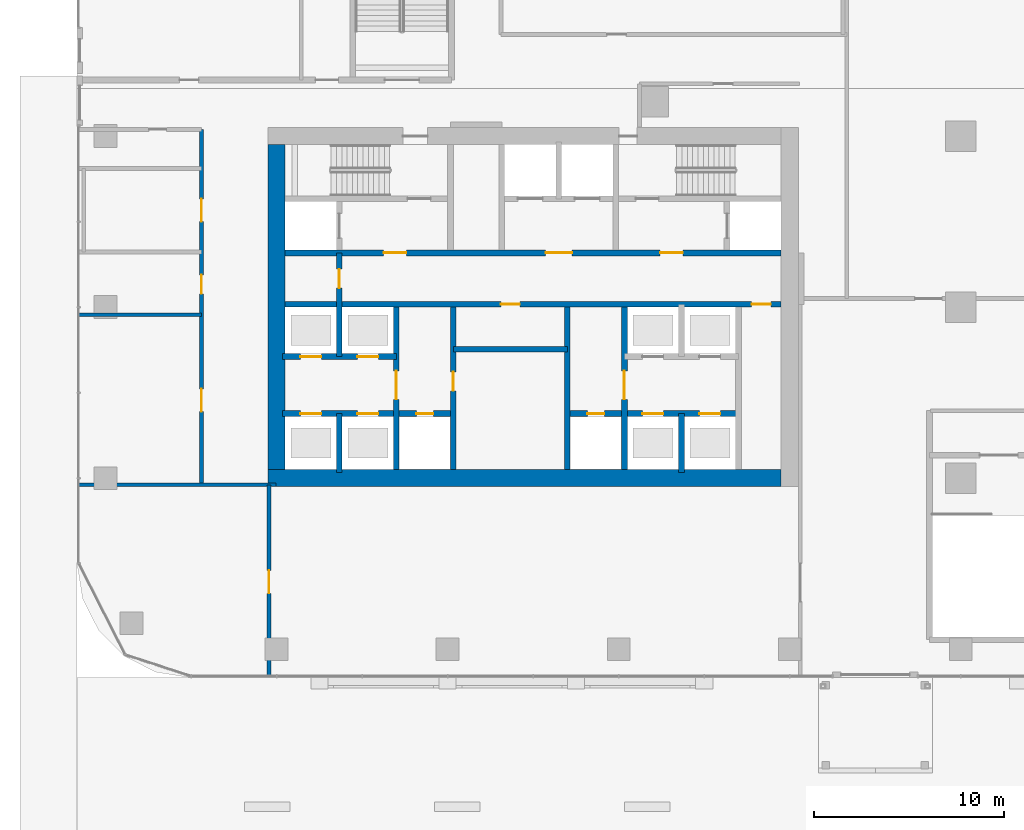
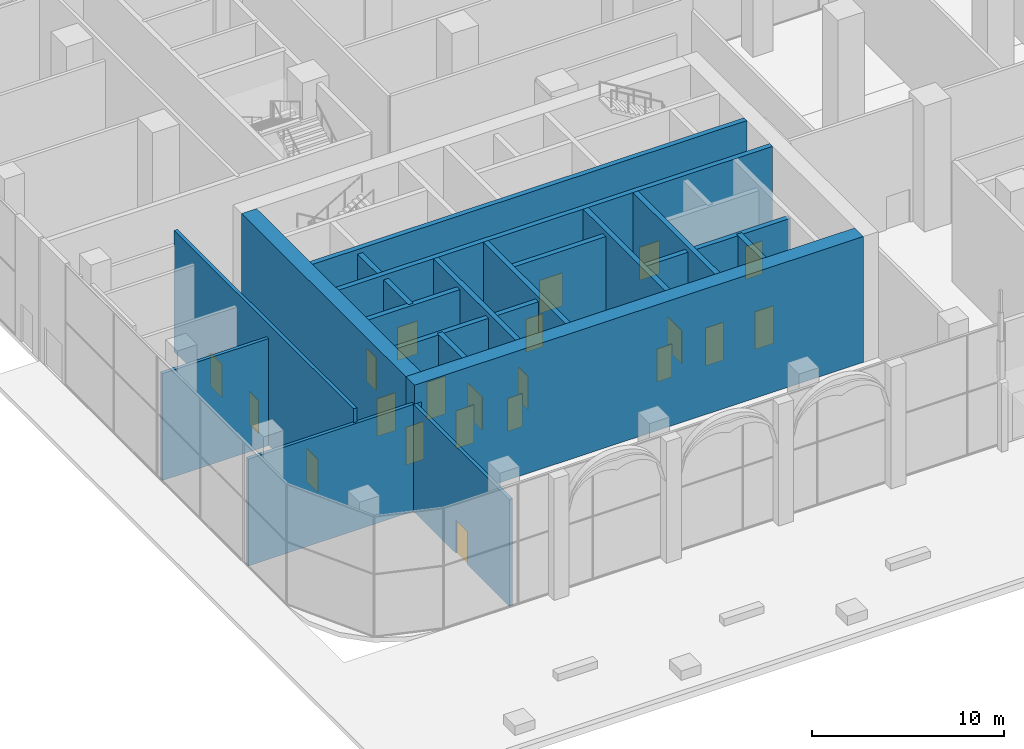
# One storey, part 29 of 54: 21 doors, 19 walls, 21 openings.
"""IFC4 building model written with IfcOpenShell, lengths in metres."""

from ifc_helpers import new_model, si_unit, direction, frame, frame_2d, origin, place, context, subcontext, project, spatial, rectangle, extrude, material, layer, layer_set, type_object, element, fill, save


model = new_model("IFC4")

# Units and contexts
model_context = context("Model", 3, precision=1e-05, world=origin(), true_north=direction((0.0, 1.0)))
body_context = subcontext(model_context, "Body", "Model", "MODEL_VIEW")
ifc_project = project(units=[si_unit("LENGTHUNIT", "METRE"), si_unit("AREAUNIT", "SQUARE_METRE"), si_unit("VOLUMEUNIT", "CUBIC_METRE"), si_unit("PLANEANGLEUNIT", "RADIAN"), si_unit("MASSUNIT", "GRAM", prefix="KILO")], contexts=[model_context])

# Site, building, storey
site_placement = place(None, origin())
site = spatial("IfcSite", under=ifc_project, at=site_placement, CompositionType="ELEMENT")
building_placement = place(site_placement, origin())
building = spatial("IfcBuilding", under=site, at=building_placement, Name="Ogive Portal Towers", CompositionType="ELEMENT")
storey_placement = place(building_placement, origin())
storey = spatial("IfcBuildingStorey", under=building, at=storey_placement, Name="L00", CompositionType="ELEMENT", Elevation=0.0)

# Wall, opening, door
ifc_material_1 = material(Name="Concrete C60/75", Category="concrete")
ifc_layer_1 = layer(ifc_material_1, 0.300048828125)
ifc_layer_set_1 = layer_set([ifc_layer_1], Name="CORE WALL 300 C60")
wall_type_1 = type_object("IfcWallType", Name="CORE WALL 300 C60", PredefinedType="SHEAR", material=ifc_layer_set_1)
wall_1_placement = place(storey_placement, frame((37.800048828125, 21.949951171875, 0.0), z_axis=(0.0, 0.0, 1.0), x_axis=(0.0, 1.0, 0.0)))
wall_1 = element("IfcWall", 1, at=wall_1_placement, inside=storey, type_object=wall_type_1, Name="Core wall X1 L00", PredefinedType="SHEAR", context=body_context, shape_type="SweptSolid", body=[
    extrude(rectangle(XDim=8.550048828125, YDim=0.300048828125, at=frame_2d((4.27490234375, 0.0))), origin(), (0.0, 0.0, 1.0), 8.0),
])
opening_1_placement = place(wall_1_placement, frame((3.699951171875, 0.0, 0.0)))
opening_1 = element("IfcOpeningElement", 2, at=opening_1_placement, cuts=wall_1, Name="Opening D102-001", PredefinedType="OPENING", context=body_context, shape_type="SweptSolid", body=[
    extrude(rectangle(XDim=1.5, YDim=2.10009765625, at=frame_2d((0.75, 1.050048828125))), frame((0.0, 0.16015625, 0.0), z_axis=(0.0, -1.0, 0.0), x_axis=(1.0, 0.0, 0.0)), (0.0, 0.0, 1.0), 0.320068359375),
])
ifc_material_2 = material(Name="Steel fire door", Category="steel")
door_type_1 = type_object("IfcDoorType", Name="DT-SWING-1500x2100-FD90S", OperationType="SINGLE_SWING_LEFT", PredefinedType="DOOR", material=ifc_material_2)
door_1_placement = place(opening_1_placement, origin())
door_1 = element("IfcDoor", 3, at=door_1_placement, inside=storey, type_object=door_type_1, Name="Door D102-001", OperationType="SINGLE_SWING_LEFT", OverallHeight=2.10009765625, OverallWidth=1.5, PredefinedType="DOOR", context=body_context, shape_type="SweptSolid", body=[
    extrude(rectangle(XDim=1.5, YDim=2.10009765625, at=frame_2d((0.75, 1.050048828125))), frame((0.0, 0.02490234375, 0.0), z_axis=(0.0, -1.0, 0.0), x_axis=(1.0, 0.0, 0.0)), (0.0, 0.0, 1.0), 0.050048828125),
])
fill(opening_1, door_1)

wall_2_placement = place(storey_placement, frame((40.800048828125, 21.949951171875, 0.0), z_axis=(0.0, 0.0, 1.0), x_axis=(0.0, 1.0, 0.0)))
wall_2 = element("IfcWall", 4, at=wall_2_placement, inside=storey, type_object=wall_type_1, Name="Core wall X2 L00", PredefinedType="SHEAR", context=body_context, shape_type="SweptSolid", body=[
    extrude(rectangle(XDim=8.550048828125, YDim=0.300048828125, at=frame_2d((4.27490234375, 0.0))), origin(), (0.0, 0.0, 1.0), 8.0),
])
opening_2_placement = place(wall_2_placement, frame((4.137939453125, 0.0, 0.0)))
opening_2 = element("IfcOpeningElement", 5, at=opening_2_placement, cuts=wall_2, Name="Opening D102-026", PredefinedType="OPENING", context=body_context, shape_type="SweptSolid", body=[
    extrude(rectangle(XDim=1.0, YDim=2.10009765625, at=frame_2d((0.5, 1.050048828125))), frame((0.0, 0.16015625, 0.0), z_axis=(0.0, -1.0, 0.0), x_axis=(1.0, 0.0, 0.0)), (0.0, 0.0, 1.0), 0.320068359375),
])
door_type_2 = type_object("IfcDoorType", Name="DT-SWING-1000x2100-FD90S", OperationType="SINGLE_SWING_LEFT", PredefinedType="DOOR", material=ifc_material_2)
door_2_placement = place(opening_2_placement, origin())
door_2 = element("IfcDoor", 6, at=door_2_placement, inside=storey, type_object=door_type_2, Name="Door D102-026", OperationType="SINGLE_SWING_RIGHT", OverallHeight=2.10009765625, OverallWidth=1.0, PredefinedType="DOOR", context=body_context, shape_type="SweptSolid", body=[
    extrude(rectangle(XDim=1.0, YDim=2.10009765625, at=frame_2d((0.5, 1.050048828125))), frame((0.0, 0.02490234375, 0.0), z_axis=(0.0, -1.0, 0.0), x_axis=(1.0, 0.0, 0.0)), (0.0, 0.0, 1.0), 0.050048828125),
])
fill(opening_2, door_2)

# Wall
wall_3_placement = place(storey_placement, frame((46.800048828125, 21.949951171875, 0.0), z_axis=(0.0, 0.0, 1.0), x_axis=(0.0, 1.0, 0.0)))
element("IfcWall", 7, at=wall_3_placement, inside=storey, type_object=wall_type_1, Name="Core wall X3 L00", PredefinedType="SHEAR", context=body_context, shape_type="SweptSolid", body=[
    extrude(rectangle(XDim=8.550048828125, YDim=0.300048828125, at=frame_2d((4.27490234375, 0.0))), origin(), (0.0, 0.0, 1.0), 8.0),
])

# Wall, opening, door
wall_4_placement = place(storey_placement, frame((49.800048828125, 21.949951171875, 0.0), z_axis=(0.0, 0.0, 1.0), x_axis=(0.0, 1.0, 0.0)))
wall_4 = element("IfcWall", 8, at=wall_4_placement, inside=storey, type_object=wall_type_1, Name="Core wall X4 L00", PredefinedType="SHEAR", context=body_context, shape_type="SweptSolid", body=[
    extrude(rectangle(XDim=8.550048828125, YDim=0.300048828125, at=frame_2d((4.27490234375, 0.0))), origin(), (0.0, 0.0, 1.0), 8.0),
])
opening_3_placement = place(wall_4_placement, frame((3.699951171875, 0.0, 0.0)))
opening_3 = element("IfcOpeningElement", 9, at=opening_3_placement, cuts=wall_4, Name="Opening D102-002", PredefinedType="OPENING", context=body_context, shape_type="SweptSolid", body=[
    extrude(rectangle(XDim=1.5, YDim=2.10009765625, at=frame_2d((0.75, 1.050048828125))), frame((0.0, 0.16015625, 0.0), z_axis=(0.0, -1.0, 0.0), x_axis=(1.0, 0.0, 0.0)), (0.0, 0.0, 1.0), 0.320068359375),
])
door_3_placement = place(opening_3_placement, origin())
door_3 = element("IfcDoor", 10, at=door_3_placement, inside=storey, type_object=door_type_1, Name="Door D102-002", OperationType="SINGLE_SWING_LEFT", OverallHeight=2.10009765625, OverallWidth=1.5, PredefinedType="DOOR", context=body_context, shape_type="SweptSolid", body=[
    extrude(rectangle(XDim=1.5, YDim=2.10009765625, at=frame_2d((0.75, 1.050048828125))), frame((0.0, 0.02490234375, 0.0), z_axis=(0.0, -1.0, 0.0), x_axis=(1.0, 0.0, 0.0)), (0.0, 0.0, 1.0), 0.050048828125),
])
fill(opening_3, door_3)

# Wall, openings, doors
wall_5_placement = place(storey_placement, frame((31.949951171875, 30.64990234375, 0.0), z_axis=(0.0, 0.0, 1.0), x_axis=(1.0, 0.0, 0.0)))
wall_5 = element("IfcWall", 11, at=wall_5_placement, inside=storey, type_object=wall_type_1, Name="Core wall Y1 L00", PredefinedType="SHEAR", context=body_context, shape_type="SweptSolid", body=[
    extrude(rectangle(XDim=26.10009765625, YDim=0.300048828125, at=frame_2d((13.050048828125, 0.0))), origin(), (0.0, 0.0, 1.0), 8.0),
])
opening_4_placement = place(wall_5_placement, frame((24.550048828125, 0.0, 0.0)))
opening_4 = element("IfcOpeningElement", 12, at=opening_4_placement, cuts=wall_5, Name="Opening D102-010", PredefinedType="OPENING", context=body_context, shape_type="SweptSolid", body=[
    extrude(rectangle(XDim=1.0, YDim=2.10009765625, at=frame_2d((0.5, 1.050048828125))), frame((0.0, 0.16015625, 0.0), z_axis=(0.0, -1.0, 0.0), x_axis=(1.0, 0.0, 0.0)), (0.0, 0.0, 1.0), 0.320068359375),
])
opening_5_placement = place(wall_5_placement, frame((11.35009765625, 0.0, 0.0)))
opening_5 = element("IfcOpeningElement", 13, at=opening_5_placement, cuts=wall_5, Name="Opening D102-025", PredefinedType="OPENING", context=body_context, shape_type="SweptSolid", body=[
    extrude(rectangle(XDim=1.0, YDim=2.10009765625, at=frame_2d((0.5, 1.050048828125))), frame((0.0, 0.16015625, 0.0), z_axis=(0.0, -1.0, 0.0), x_axis=(1.0, 0.0, 0.0)), (0.0, 0.0, 1.0), 0.320068359375),
])
door_4_placement = place(opening_4_placement, origin())
door_4 = element("IfcDoor", 14, at=door_4_placement, inside=storey, type_object=door_type_2, Name="Door D102-010", OperationType="SINGLE_SWING_LEFT", OverallHeight=2.10009765625, OverallWidth=1.0, PredefinedType="DOOR", context=body_context, shape_type="SweptSolid", body=[
    extrude(rectangle(XDim=1.0, YDim=2.10009765625, at=frame_2d((0.5, 1.050048828125))), frame((0.0, 0.02490234375, 0.0), z_axis=(0.0, -1.0, 0.0), x_axis=(1.0, 0.0, 0.0)), (0.0, 0.0, 1.0), 0.050048828125),
])
fill(opening_4, door_4)
door_5_placement = place(opening_5_placement, origin())
door_5 = element("IfcDoor", 15, at=door_5_placement, inside=storey, type_object=door_type_2, Name="Riser access door D102-025", OperationType="SINGLE_SWING_LEFT", OverallHeight=2.10009765625, OverallWidth=1.0, PredefinedType="DOOR", context=body_context, shape_type="SweptSolid", body=[
    extrude(rectangle(XDim=1.0, YDim=2.10009765625, at=frame_2d((0.5, 1.050048828125))), frame((0.0, 0.02490234375, 0.0), z_axis=(0.0, -1.0, 0.0), x_axis=(1.0, 0.0, 0.0)), (0.0, 0.0, 1.0), 0.050048828125),
])
fill(opening_5, door_5)

wall_6_placement = place(storey_placement, frame((31.949951171875, 33.35009765625, 0.0), z_axis=(0.0, 0.0, 1.0), x_axis=(1.0, 0.0, 0.0)))
wall_6 = element("IfcWall", 16, at=wall_6_placement, inside=storey, type_object=wall_type_1, Name="Core wall Y2 L00", PredefinedType="SHEAR", context=body_context, shape_type="SweptSolid", body=[
    extrude(rectangle(XDim=26.10009765625, YDim=0.300048828125, at=frame_2d((13.050048828125, 0.0))), origin(), (0.0, 0.0, 1.0), 8.0),
])
opening_6_placement = place(wall_6_placement, frame((13.699951171875, 0.0, 0.0)))
opening_6 = element("IfcOpeningElement", 17, at=opening_6_placement, cuts=wall_6, Name="Opening D102-003", PredefinedType="OPENING", context=body_context, shape_type="SweptSolid", body=[
    extrude(rectangle(XDim=1.39990234375, YDim=2.10009765625, at=frame_2d((0.699951171875, 1.050048828125))), frame((0.0, 0.16015625, 0.0), z_axis=(0.0, -1.0, 0.0), x_axis=(1.0, 0.0, 0.0)), (0.0, 0.0, 1.0), 0.320068359375),
])
opening_7_placement = place(wall_6_placement, frame((5.175048828125, 0.0, 0.0)))
opening_7 = element("IfcOpeningElement", 18, at=opening_7_placement, cuts=wall_6, Name="Opening D102-004", PredefinedType="OPENING", context=body_context, shape_type="SweptSolid", body=[
    extrude(rectangle(XDim=1.199951171875, YDim=2.10009765625, at=frame_2d((0.60009765625, 1.050048828125))), frame((0.0, 0.16015625, 0.0), z_axis=(0.0, -1.0, 0.0), x_axis=(1.0, 0.0, 0.0)), (0.0, 0.0, 1.0), 0.320068359375),
])
opening_8_placement = place(wall_6_placement, frame((19.72509765625, 0.0, 0.0)))
opening_8 = element("IfcOpeningElement", 19, at=opening_8_placement, cuts=wall_6, Name="Opening D102-005", PredefinedType="OPENING", context=body_context, shape_type="SweptSolid", body=[
    extrude(rectangle(XDim=1.199951171875, YDim=2.10009765625, at=frame_2d((0.60009765625, 1.050048828125))), frame((0.0, 0.16015625, 0.0), z_axis=(0.0, -1.0, 0.0), x_axis=(1.0, 0.0, 0.0)), (0.0, 0.0, 1.0), 0.320068359375),
])
door_type_3 = type_object("IfcDoorType", Name="DT-SWING-1200x2100-FD90S", OperationType="SINGLE_SWING_LEFT", PredefinedType="DOOR", material=ifc_material_2)
door_6_placement = place(opening_7_placement, origin())
door_6 = element("IfcDoor", 20, at=door_6_placement, inside=storey, type_object=door_type_3, Name="Door D102-004", OperationType="SINGLE_SWING_LEFT", OverallHeight=2.10009765625, OverallWidth=1.199951171875, PredefinedType="DOOR", context=body_context, shape_type="SweptSolid", body=[
    extrude(rectangle(XDim=1.199951171875, YDim=2.10009765625, at=frame_2d((0.60009765625, 1.050048828125))), frame((0.0, 0.02490234375, 0.0), z_axis=(0.0, -1.0, 0.0), x_axis=(1.0, 0.0, 0.0)), (0.0, 0.0, 1.0), 0.050048828125),
])
fill(opening_7, door_6)
door_7_placement = place(opening_8_placement, origin())
door_7 = element("IfcDoor", 21, at=door_7_placement, inside=storey, type_object=door_type_3, Name="Door D102-005", OperationType="SINGLE_SWING_RIGHT", OverallHeight=2.10009765625, OverallWidth=1.199951171875, PredefinedType="DOOR", context=body_context, shape_type="SweptSolid", body=[
    extrude(rectangle(XDim=1.199951171875, YDim=2.10009765625, at=frame_2d((0.60009765625, 1.050048828125))), frame((0.0, 0.02490234375, 0.0), z_axis=(0.0, -1.0, 0.0), x_axis=(1.0, 0.0, 0.0)), (0.0, 0.0, 1.0), 0.050048828125),
])
fill(opening_8, door_7)
door_type_4 = type_object("IfcDoorType", Name="DT-SWING-1400x2100-FD90S", OperationType="SINGLE_SWING_LEFT", PredefinedType="DOOR", material=ifc_material_2)
door_8_placement = place(opening_6_placement, origin())
door_8 = element("IfcDoor", 22, at=door_8_placement, inside=storey, type_object=door_type_4, Name="Door D102-003", OperationType="SINGLE_SWING_RIGHT", OverallHeight=2.10009765625, OverallWidth=1.39990234375, PredefinedType="DOOR", context=body_context, shape_type="SweptSolid", body=[
    extrude(rectangle(XDim=1.39990234375, YDim=2.10009765625, at=frame_2d((0.699951171875, 1.050048828125))), frame((0.0, 0.02490234375, 0.0), z_axis=(0.0, -1.0, 0.0), x_axis=(1.0, 0.0, 0.0)), (0.0, 0.0, 1.0), 0.050048828125),
])
fill(opening_6, door_8)

# Walls
ifc_layer_2 = layer(ifc_material_1, 0.89990234375)
ifc_layer_set_2 = layer_set([ifc_layer_2], Name="CORE WALL 900 C60")
wall_type_2 = type_object("IfcWallType", Name="CORE WALL 900 C60", PredefinedType="SHEAR", material=ifc_layer_set_2)
wall_7_placement = place(storey_placement, frame((31.5, 21.949951171875, 0.0), z_axis=(0.0, 0.0, 1.0), x_axis=(0.0, 1.0, 0.0)))
element("IfcWall", 23, at=wall_7_placement, inside=storey, type_object=wall_type_2, Name="Core wall W L00", PredefinedType="SHEAR", context=body_context, shape_type="SweptSolid", body=[
    extrude(rectangle(XDim=17.10009765625, YDim=0.89990234375, at=frame_2d((8.550048828125, 0.0))), origin(), (0.0, 0.0, 1.0), 8.0),
])
wall_8_placement = place(storey_placement, frame((31.050048828125, 21.5, 0.0), z_axis=(0.0, 0.0, 1.0), x_axis=(1.0, 0.0, 0.0)))
element("IfcWall", 24, at=wall_8_placement, inside=storey, type_object=wall_type_2, Name="Core wall S L00", PredefinedType="SHEAR", context=body_context, shape_type="SweptSolid", body=[
    extrude(rectangle(XDim=27.0, YDim=0.89990234375, at=frame_2d((13.5, 0.0))), origin(), (0.0, 0.0, 1.0), 8.0),
])

# Wall, openings, doors
ifc_material_3 = material(Name="Gypsum board partition on steel studs", Category="steel")
ifc_layer_3 = layer(ifc_material_3, 0.199951171875)
ifc_layer_set_3 = layer_set([ifc_layer_3], Name="WT-PART-200-EI 120")
wall_type_3 = type_object("IfcWallType", Name="WT-PART-200-EI 120", PredefinedType="PARTITIONING", material=ifc_layer_set_3)
wall_9_placement = place(storey_placement, frame((27.550048828125, 21.14990234375, 0.0), z_axis=(0.0, 0.0, 1.0), x_axis=(0.0, 1.0, 0.0)))
wall_9 = element("IfcWall", 25, at=wall_9_placement, inside=storey, type_object=wall_type_3, Name="Wall L00:w073", PredefinedType="PARTITIONING", context=body_context, shape_type="SweptSolid", body=[
    extrude(rectangle(XDim=18.7001953125, YDim=0.199951171875, at=frame_2d((9.35009765625, 0.0))), origin(), (0.0, 0.0, 1.0), 7.699951171875),
])
opening_9_placement = place(wall_9_placement, frame((3.85009765625, 0.0, 0.0)))
opening_9 = element("IfcOpeningElement", 26, at=opening_9_placement, cuts=wall_9, Name="Opening P00-015", PredefinedType="OPENING", context=body_context, shape_type="SweptSolid", body=[
    extrude(rectangle(XDim=1.199951171875, YDim=2.10009765625, at=frame_2d((0.60009765625, 1.050048828125))), frame((0.0, 0.10986328125, 0.0), z_axis=(0.0, -1.0, 0.0), x_axis=(1.0, 0.0, 0.0)), (0.0, 0.0, 1.0), 0.219970703125),
])
opening_10_placement = place(wall_9_placement, frame((10.041015625, 0.0, 0.0)))
opening_10 = element("IfcOpeningElement", 27, at=opening_10_placement, cuts=wall_9, Name="Opening P00-016", PredefinedType="OPENING", context=body_context, shape_type="SweptSolid", body=[
    extrude(rectangle(XDim=1.0, YDim=2.10009765625, at=frame_2d((0.5, 1.050048828125))), frame((0.0, 0.10986328125, 0.0), z_axis=(0.0, -1.0, 0.0), x_axis=(1.0, 0.0, 0.0)), (0.0, 0.0, 1.0), 0.219970703125),
])
opening_11_placement = place(wall_9_placement, frame((13.85009765625, 0.0, 0.0)))
opening_11 = element("IfcOpeningElement", 28, at=opening_11_placement, cuts=wall_9, Name="Opening P00-017", PredefinedType="OPENING", context=body_context, shape_type="SweptSolid", body=[
    extrude(rectangle(XDim=1.199951171875, YDim=2.10009765625, at=frame_2d((0.60009765625, 1.050048828125))), frame((0.0, 0.10986328125, 0.0), z_axis=(0.0, -1.0, 0.0), x_axis=(1.0, 0.0, 0.0)), (0.0, 0.0, 1.0), 0.219970703125),
])
door_9_placement = place(opening_10_placement, origin())
door_9 = element("IfcDoor", 29, at=door_9_placement, inside=storey, type_object=door_type_2, Name="Door P00-016", OperationType="SINGLE_SWING_RIGHT", OverallHeight=2.10009765625, OverallWidth=1.0, PredefinedType="DOOR", context=body_context, shape_type="SweptSolid", body=[
    extrude(rectangle(XDim=1.0, YDim=2.10009765625, at=frame_2d((0.5, 1.050048828125))), frame((0.0, 0.02490234375, 0.0), z_axis=(0.0, -1.0, 0.0), x_axis=(1.0, 0.0, 0.0)), (0.0, 0.0, 1.0), 0.050048828125),
])
fill(opening_10, door_9)
door_10_placement = place(opening_9_placement, origin())
door_10 = element("IfcDoor", 30, at=door_10_placement, inside=storey, type_object=door_type_3, Name="Door P00-015", OperationType="SINGLE_SWING_LEFT", OverallHeight=2.10009765625, OverallWidth=1.199951171875, PredefinedType="DOOR", context=body_context, shape_type="SweptSolid", body=[
    extrude(rectangle(XDim=1.199951171875, YDim=2.10009765625, at=frame_2d((0.60009765625, 1.050048828125))), frame((0.0, 0.02490234375, 0.0), z_axis=(0.0, -1.0, 0.0), x_axis=(1.0, 0.0, 0.0)), (0.0, 0.0, 1.0), 0.050048828125),
])
fill(opening_9, door_10)
door_11_placement = place(opening_11_placement, origin())
door_11 = element("IfcDoor", 31, at=door_11_placement, inside=storey, type_object=door_type_3, Name="Door P00-017", OperationType="SINGLE_SWING_LEFT", OverallHeight=2.10009765625, OverallWidth=1.199951171875, PredefinedType="DOOR", context=body_context, shape_type="SweptSolid", body=[
    extrude(rectangle(XDim=1.199951171875, YDim=2.10009765625, at=frame_2d((0.60009765625, 1.050048828125))), frame((0.0, 0.02490234375, 0.0), z_axis=(0.0, -1.0, 0.0), x_axis=(1.0, 0.0, 0.0)), (0.0, 0.0, 1.0), 0.050048828125),
])
fill(opening_11, door_11)

# Walls
ifc_layer_4 = layer(ifc_material_3, 0.199951171875)
ifc_layer_set_4 = layer_set([ifc_layer_4], Name="WT-PART-200-EI 60")
wall_type_4 = type_object("IfcWallType", Name="WT-PART-200-EI 60", PredefinedType="PARTITIONING", material=ifc_layer_set_4)
wall_10_placement = place(storey_placement, frame((21.070068359375, 21.14990234375, 0.0), z_axis=(0.0, 0.0, 1.0), x_axis=(1.0, 0.0, 0.0)))
element("IfcWall", 32, at=wall_10_placement, inside=storey, type_object=wall_type_4, Name="Wall L00:w004", PredefinedType="PARTITIONING", context=body_context, shape_type="SweptSolid", body=[
    extrude(rectangle(XDim=10.409912109375, YDim=0.199951171875, at=frame_2d((5.205078125, 0.0))), origin(), (0.0, 0.0, 1.0), 6.800048828125),
])
wall_11_placement = place(storey_placement, frame((21.070068359375, 30.10009765625, 0.0), z_axis=(0.0, 0.0, 1.0), x_axis=(1.0, 0.0, 0.0)))
element("IfcWall", 33, at=wall_11_placement, inside=storey, type_object=wall_type_4, Name="Wall L00:w015", PredefinedType="PARTITIONING", context=body_context, shape_type="SweptSolid", body=[
    extrude(rectangle(XDim=6.47998046875, YDim=0.199951171875, at=frame_2d((3.239990234375, 0.0))), origin(), (0.0, 0.0, 1.0), 6.800048828125),
])

# Wall, opening, door
wall_12_placement = place(storey_placement, frame((31.10009765625, 11.070068359375, 0.0), z_axis=(0.0, 0.0, 1.0), x_axis=(0.0, 1.0, 0.0)))
wall_12 = element("IfcWall", 34, at=wall_12_placement, inside=storey, type_object=wall_type_4, Name="Wall L00:w075", PredefinedType="PARTITIONING", context=body_context, shape_type="SweptSolid", body=[
    extrude(rectangle(XDim=10.079833984375, YDim=0.199951171875, at=frame_2d((5.0400390625, 0.0))), origin(), (0.0, 0.0, 1.0), 6.800048828125),
])
opening_12_placement = place(wall_12_placement, frame((4.373046875, 0.0, 0.0)))
opening_12 = element("IfcOpeningElement", 35, at=opening_12_placement, cuts=wall_12, Name="Opening P00-009", PredefinedType="OPENING", context=body_context, shape_type="SweptSolid", body=[
    extrude(rectangle(XDim=1.199951171875, YDim=2.10009765625, at=frame_2d((0.60009765625, 1.050048828125))), frame((0.0, 0.10986328125, 0.0), z_axis=(0.0, -1.0, 0.0), x_axis=(1.0, 0.0, 0.0)), (0.0, 0.0, 1.0), 0.219970703125),
])
door_type_5 = type_object("IfcDoorType", Name="DT-SWING-1200x2100-FD60S", OperationType="SINGLE_SWING_LEFT", PredefinedType="DOOR", material=ifc_material_2)
door_12_placement = place(opening_12_placement, origin())
door_12 = element("IfcDoor", 36, at=door_12_placement, inside=storey, type_object=door_type_5, Name="Door P00-009", OperationType="SINGLE_SWING_LEFT", OverallHeight=2.10009765625, OverallWidth=1.199951171875, PredefinedType="DOOR", context=body_context, shape_type="SweptSolid", body=[
    extrude(rectangle(XDim=1.199951171875, YDim=2.10009765625, at=frame_2d((0.60009765625, 1.050048828125))), frame((0.0, 0.02490234375, 0.0), z_axis=(0.0, -1.0, 0.0), x_axis=(1.0, 0.0, 0.0)), (0.0, 0.0, 1.0), 0.050048828125),
])
fill(opening_12, door_12)

# Wall
ifc_layer_5 = layer(ifc_material_3, 0.300048828125)
ifc_layer_set_5 = layer_set([ifc_layer_5], Name="WT-PART-300")
wall_type_5 = type_object("IfcWallType", Name="WT-PART-300", PredefinedType="PARTITIONING", material=ifc_layer_set_5)
wall_13_placement = place(storey_placement, frame((40.800048828125, 28.277099609375, 0.0), z_axis=(0.0, 0.0, 1.0), x_axis=(1.0, 0.0, 0.0)))
element("IfcWall", 37, at=wall_13_placement, inside=storey, type_object=wall_type_5, Name="Wall pw:005:L00", PredefinedType="PARTITIONING", context=body_context, shape_type="SweptSolid", body=[
    extrude(rectangle(XDim=6.0, YDim=0.300048828125, at=frame_2d((3.0, 0.0))), origin(), (0.0, 0.0, 1.0), 7.699951171875),
])

# Wall, openings, doors
ifc_material_4 = material(Name="Concrete C40/50", Category="concrete")
ifc_layer_6 = layer(ifc_material_4, 0.300048828125)
ifc_layer_set_6 = layer_set([ifc_layer_6], Name="WT-SHAFT-300")
wall_type_6 = type_object("IfcWallType", Name="WT-SHAFT-300", PredefinedType="SOLIDWALL", material=ifc_layer_set_6)
wall_14_placement = place(storey_placement, frame((31.800048828125, 24.89990234375, 0.0), z_axis=(0.0, 0.0, 1.0), x_axis=(1.0, 0.0, 0.0)))
wall_14 = element("IfcWall", 38, at=wall_14_placement, inside=storey, type_object=wall_type_6, Name="Wall pw:001:L00", PredefinedType="SOLIDWALL", context=body_context, shape_type="SweptSolid", body=[
    extrude(rectangle(XDim=9.0, YDim=0.300048828125, at=frame_2d((4.5, 0.0))), origin(), (0.0, 0.0, 1.0), 7.699951171875),
])
opening_13_placement = place(wall_14_placement, frame((7.050048828125, 0.0, 0.0)))
opening_13 = element("IfcOpeningElement", 39, at=opening_13_placement, cuts=wall_14, Name="Opening D102-008", PredefinedType="OPENING", context=body_context, shape_type="SweptSolid", body=[
    extrude(rectangle(XDim=0.89990234375, YDim=2.10009765625, at=frame_2d((0.449951171875, 1.050048828125))), frame((0.0, 0.16015625, 0.0), z_axis=(0.0, -1.0, 0.0), x_axis=(1.0, 0.0, 0.0)), (0.0, 0.0, 1.0), 0.320068359375),
])
opening_14_placement = place(wall_14_placement, frame((0.949951171875, 0.0, 0.0)))
opening_14 = element("IfcOpeningElement", 40, at=opening_14_placement, cuts=wall_14, Name="Opening D102-013", PredefinedType="OPENING", context=body_context, shape_type="SweptSolid", body=[
    extrude(rectangle(XDim=1.10009765625, YDim=2.39990234375, at=frame_2d((0.550048828125, 1.199951171875))), frame((0.0, 0.16015625, 0.0), z_axis=(0.0, -1.0, 0.0), x_axis=(1.0, 0.0, 0.0)), (0.0, 0.0, 1.0), 0.320068359375),
])
opening_15_placement = place(wall_14_placement, frame((3.949951171875, 0.0, 0.0)))
opening_15 = element("IfcOpeningElement", 41, at=opening_15_placement, cuts=wall_14, Name="Opening D102-014", PredefinedType="OPENING", context=body_context, shape_type="SweptSolid", body=[
    extrude(rectangle(XDim=1.10009765625, YDim=2.39990234375, at=frame_2d((0.550048828125, 1.199951171875))), frame((0.0, 0.16015625, 0.0), z_axis=(0.0, -1.0, 0.0), x_axis=(1.0, 0.0, 0.0)), (0.0, 0.0, 1.0), 0.320068359375),
])
ifc_material_5 = material(Name="Stainless steel", Category="steel")
door_type_6 = type_object("IfcDoorType", Name="DT-LD-1100x2400", OperationType="SLIDING_TO_LEFT", PredefinedType="DOOR", material=ifc_material_5)
door_13_placement = place(opening_14_placement, origin())
door_13 = element("IfcDoor", 42, at=door_13_placement, inside=storey, type_object=door_type_6, Name="Door D102-013", OperationType="SLIDING_TO_LEFT", OverallHeight=2.39990234375, OverallWidth=1.10009765625, PredefinedType="DOOR", context=body_context, shape_type="SweptSolid", body=[
    extrude(rectangle(XDim=1.10009765625, YDim=2.39990234375, at=frame_2d((0.550048828125, 1.199951171875))), frame((0.0, 0.02490234375, 0.0), z_axis=(0.0, -1.0, 0.0), x_axis=(1.0, 0.0, 0.0)), (0.0, 0.0, 1.0), 0.050048828125),
])
fill(opening_14, door_13)
door_14_placement = place(opening_15_placement, origin())
door_14 = element("IfcDoor", 43, at=door_14_placement, inside=storey, type_object=door_type_6, Name="Door D102-014", OperationType="SLIDING_TO_LEFT", OverallHeight=2.39990234375, OverallWidth=1.10009765625, PredefinedType="DOOR", context=body_context, shape_type="SweptSolid", body=[
    extrude(rectangle(XDim=1.10009765625, YDim=2.39990234375, at=frame_2d((0.550048828125, 1.199951171875))), frame((0.0, 0.02490234375, 0.0), z_axis=(0.0, -1.0, 0.0), x_axis=(1.0, 0.0, 0.0)), (0.0, 0.0, 1.0), 0.050048828125),
])
fill(opening_15, door_14)
door_type_7 = type_object("IfcDoorType", Name="DT-SWING-900x2100-FD90S", OperationType="SINGLE_SWING_LEFT", PredefinedType="DOOR", material=ifc_material_2)
door_15_placement = place(opening_13_placement, origin())
door_15 = element("IfcDoor", 44, at=door_15_placement, inside=storey, type_object=door_type_7, Name="Riser access door D102-008", OperationType="SINGLE_SWING_LEFT", OverallHeight=2.10009765625, OverallWidth=0.89990234375, PredefinedType="DOOR", context=body_context, shape_type="SweptSolid", body=[
    extrude(rectangle(XDim=0.89990234375, YDim=2.10009765625, at=frame_2d((0.449951171875, 1.050048828125))), frame((0.0, 0.02490234375, 0.0), z_axis=(0.0, -1.0, 0.0), x_axis=(1.0, 0.0, 0.0)), (0.0, 0.0, 1.0), 0.050048828125),
])
fill(opening_13, door_15)

wall_15_placement = place(storey_placement, frame((46.800048828125, 24.89990234375, 0.0), z_axis=(0.0, 0.0, 1.0), x_axis=(1.0, 0.0, 0.0)))
wall_15 = element("IfcWall", 45, at=wall_15_placement, inside=storey, type_object=wall_type_6, Name="Wall pw:002:L00", PredefinedType="SOLIDWALL", context=body_context, shape_type="SweptSolid", body=[
    extrude(rectangle(XDim=9.0, YDim=0.300048828125, at=frame_2d((4.5, 0.0))), origin(), (0.0, 0.0, 1.0), 7.699951171875),
])
opening_16_placement = place(wall_15_placement, frame((1.050048828125, 0.0, 0.0)))
opening_16 = element("IfcOpeningElement", 46, at=opening_16_placement, cuts=wall_15, Name="Opening D102-009", PredefinedType="OPENING", context=body_context, shape_type="SweptSolid", body=[
    extrude(rectangle(XDim=0.89990234375, YDim=2.10009765625, at=frame_2d((0.449951171875, 1.050048828125))), frame((0.0, 0.16015625, 0.0), z_axis=(0.0, -1.0, 0.0), x_axis=(1.0, 0.0, 0.0)), (0.0, 0.0, 1.0), 0.320068359375),
])
opening_17_placement = place(wall_15_placement, frame((3.949951171875, 0.0, 0.0)))
opening_17 = element("IfcOpeningElement", 47, at=opening_17_placement, cuts=wall_15, Name="Opening D102-017", PredefinedType="OPENING", context=body_context, shape_type="SweptSolid", body=[
    extrude(rectangle(XDim=1.10009765625, YDim=2.39990234375, at=frame_2d((0.550048828125, 1.199951171875))), frame((0.0, 0.16015625, 0.0), z_axis=(0.0, -1.0, 0.0), x_axis=(1.0, 0.0, 0.0)), (0.0, 0.0, 1.0), 0.320068359375),
])
opening_18_placement = place(wall_15_placement, frame((6.949951171875, 0.0, 0.0)))
opening_18 = element("IfcOpeningElement", 48, at=opening_18_placement, cuts=wall_15, Name="Opening D102-018", PredefinedType="OPENING", context=body_context, shape_type="SweptSolid", body=[
    extrude(rectangle(XDim=1.10009765625, YDim=2.39990234375, at=frame_2d((0.550048828125, 1.199951171875))), frame((0.0, 0.16015625, 0.0), z_axis=(0.0, -1.0, 0.0), x_axis=(1.0, 0.0, 0.0)), (0.0, 0.0, 1.0), 0.320068359375),
])
door_16_placement = place(opening_17_placement, origin())
door_16 = element("IfcDoor", 49, at=door_16_placement, inside=storey, type_object=door_type_6, Name="Door D102-017", OperationType="SLIDING_TO_LEFT", OverallHeight=2.39990234375, OverallWidth=1.10009765625, PredefinedType="DOOR", context=body_context, shape_type="SweptSolid", body=[
    extrude(rectangle(XDim=1.10009765625, YDim=2.39990234375, at=frame_2d((0.550048828125, 1.199951171875))), frame((0.0, 0.02490234375, 0.0), z_axis=(0.0, -1.0, 0.0), x_axis=(1.0, 0.0, 0.0)), (0.0, 0.0, 1.0), 0.050048828125),
])
fill(opening_17, door_16)
door_17_placement = place(opening_18_placement, origin())
door_17 = element("IfcDoor", 50, at=door_17_placement, inside=storey, type_object=door_type_6, Name="Door D102-018", OperationType="SLIDING_TO_LEFT", OverallHeight=2.39990234375, OverallWidth=1.10009765625, PredefinedType="DOOR", context=body_context, shape_type="SweptSolid", body=[
    extrude(rectangle(XDim=1.10009765625, YDim=2.39990234375, at=frame_2d((0.550048828125, 1.199951171875))), frame((0.0, 0.02490234375, 0.0), z_axis=(0.0, -1.0, 0.0), x_axis=(1.0, 0.0, 0.0)), (0.0, 0.0, 1.0), 0.050048828125),
])
fill(opening_18, door_17)
door_18_placement = place(opening_16_placement, origin())
door_18 = element("IfcDoor", 51, at=door_18_placement, inside=storey, type_object=door_type_7, Name="Riser access door D102-009", OperationType="SINGLE_SWING_RIGHT", OverallHeight=2.10009765625, OverallWidth=0.89990234375, PredefinedType="DOOR", context=body_context, shape_type="SweptSolid", body=[
    extrude(rectangle(XDim=0.89990234375, YDim=2.10009765625, at=frame_2d((0.449951171875, 1.050048828125))), frame((0.0, 0.02490234375, 0.0), z_axis=(0.0, -1.0, 0.0), x_axis=(1.0, 0.0, 0.0)), (0.0, 0.0, 1.0), 0.050048828125),
])
fill(opening_16, door_18)

wall_16_placement = place(storey_placement, frame((31.800048828125, 27.89990234375, 0.0), z_axis=(0.0, 0.0, 1.0), x_axis=(1.0, 0.0, 0.0)))
wall_16 = element("IfcWall", 52, at=wall_16_placement, inside=storey, type_object=wall_type_6, Name="Wall pw:003:L00", PredefinedType="SOLIDWALL", context=body_context, shape_type="SweptSolid", body=[
    extrude(rectangle(XDim=6.0, YDim=0.300048828125, at=frame_2d((3.0, 0.0))), origin(), (0.0, 0.0, 1.0), 7.699951171875),
])
opening_19_placement = place(wall_16_placement, frame((0.949951171875, 0.0, 0.0)))
opening_19 = element("IfcOpeningElement", 53, at=opening_19_placement, cuts=wall_16, Name="Opening D102-015", PredefinedType="OPENING", context=body_context, shape_type="SweptSolid", body=[
    extrude(rectangle(XDim=1.10009765625, YDim=2.39990234375, at=frame_2d((0.550048828125, 1.199951171875))), frame((0.0, 0.16015625, 0.0), z_axis=(0.0, -1.0, 0.0), x_axis=(1.0, 0.0, 0.0)), (0.0, 0.0, 1.0), 0.320068359375),
])
opening_20_placement = place(wall_16_placement, frame((3.949951171875, 0.0, 0.0)))
opening_20 = element("IfcOpeningElement", 54, at=opening_20_placement, cuts=wall_16, Name="Opening D102-016", PredefinedType="OPENING", context=body_context, shape_type="SweptSolid", body=[
    extrude(rectangle(XDim=1.10009765625, YDim=2.39990234375, at=frame_2d((0.550048828125, 1.199951171875))), frame((0.0, 0.16015625, 0.0), z_axis=(0.0, -1.0, 0.0), x_axis=(1.0, 0.0, 0.0)), (0.0, 0.0, 1.0), 0.320068359375),
])
door_19_placement = place(opening_19_placement, origin())
door_19 = element("IfcDoor", 55, at=door_19_placement, inside=storey, type_object=door_type_6, Name="Door D102-015", OperationType="SLIDING_TO_LEFT", OverallHeight=2.39990234375, OverallWidth=1.10009765625, PredefinedType="DOOR", context=body_context, shape_type="SweptSolid", body=[
    extrude(rectangle(XDim=1.10009765625, YDim=2.39990234375, at=frame_2d((0.550048828125, 1.199951171875))), frame((0.0, 0.02490234375, 0.0), z_axis=(0.0, -1.0, 0.0), x_axis=(1.0, 0.0, 0.0)), (0.0, 0.0, 1.0), 0.050048828125),
])
fill(opening_19, door_19)
door_20_placement = place(opening_20_placement, origin())
door_20 = element("IfcDoor", 56, at=door_20_placement, inside=storey, type_object=door_type_6, Name="Door D102-016", OperationType="SLIDING_TO_LEFT", OverallHeight=2.39990234375, OverallWidth=1.10009765625, PredefinedType="DOOR", context=body_context, shape_type="SweptSolid", body=[
    extrude(rectangle(XDim=1.10009765625, YDim=2.39990234375, at=frame_2d((0.550048828125, 1.199951171875))), frame((0.0, 0.02490234375, 0.0), z_axis=(0.0, -1.0, 0.0), x_axis=(1.0, 0.0, 0.0)), (0.0, 0.0, 1.0), 0.050048828125),
])
fill(opening_20, door_20)

# Wall
wall_17_placement = place(storey_placement, frame((34.800048828125, 21.800048828125, 0.0), z_axis=(0.0, 0.0, 1.0), x_axis=(0.0, 1.0, 0.0)))
element("IfcWall", 57, at=wall_17_placement, inside=storey, type_object=wall_type_6, Name="Wall pw:009:L00", PredefinedType="SOLIDWALL", context=body_context, shape_type="SweptSolid", body=[
    extrude(rectangle(XDim=3.099853515625, YDim=0.300048828125, at=frame_2d((1.5498046875, 0.0))), origin(), (0.0, 0.0, 1.0), 7.699951171875),
])

# Wall, opening, door
wall_18_placement = place(storey_placement, frame((34.800048828125, 27.89990234375, 0.0), z_axis=(0.0, 0.0, 1.0), x_axis=(0.0, 1.0, 0.0)))
wall_18 = element("IfcWall", 58, at=wall_18_placement, inside=storey, type_object=wall_type_6, Name="Wall pw:010:L00", PredefinedType="SOLIDWALL", context=body_context, shape_type="SweptSolid", body=[
    extrude(rectangle(XDim=5.4501953125, YDim=0.300048828125, at=frame_2d((2.72509765625, 0.0))), origin(), (0.0, 0.0, 1.0), 7.699951171875),
])
opening_21_placement = place(wall_18_placement, frame((3.60009765625, 0.0, 0.0)))
opening_21 = element("IfcOpeningElement", 59, at=opening_21_placement, cuts=wall_18, Name="Opening D102-027", PredefinedType="OPENING", context=body_context, shape_type="SweptSolid", body=[
    extrude(rectangle(XDim=1.0, YDim=2.10009765625, at=frame_2d((0.5, 1.050048828125))), frame((0.0, 0.16015625, 0.0), z_axis=(0.0, -1.0, 0.0), x_axis=(1.0, 0.0, 0.0)), (0.0, 0.0, 1.0), 0.320068359375),
])
door_21_placement = place(opening_21_placement, origin())
door_21 = element("IfcDoor", 60, at=door_21_placement, inside=storey, type_object=door_type_2, Name="Door D102-027", OperationType="SINGLE_SWING_LEFT", OverallHeight=2.10009765625, OverallWidth=1.0, PredefinedType="DOOR", context=body_context, shape_type="SweptSolid", body=[
    extrude(rectangle(XDim=1.0, YDim=2.10009765625, at=frame_2d((0.5, 1.050048828125))), frame((0.0, 0.02490234375, 0.0), z_axis=(0.0, -1.0, 0.0), x_axis=(1.0, 0.0, 0.0)), (0.0, 0.0, 1.0), 0.050048828125),
])
fill(opening_21, door_21)

# Wall
wall_19_placement = place(storey_placement, frame((52.800048828125, 21.800048828125, 0.0), z_axis=(0.0, 0.0, 1.0), x_axis=(0.0, 1.0, 0.0)))
element("IfcWall", 61, at=wall_19_placement, inside=storey, type_object=wall_type_6, Name="Wall pw:014:L00", PredefinedType="SOLIDWALL", context=body_context, shape_type="SweptSolid", body=[
    extrude(rectangle(XDim=3.099853515625, YDim=0.300048828125, at=frame_2d((1.5498046875, 0.0))), origin(), (0.0, 0.0, 1.0), 7.699951171875),
])

save(model, "model.ifc")
